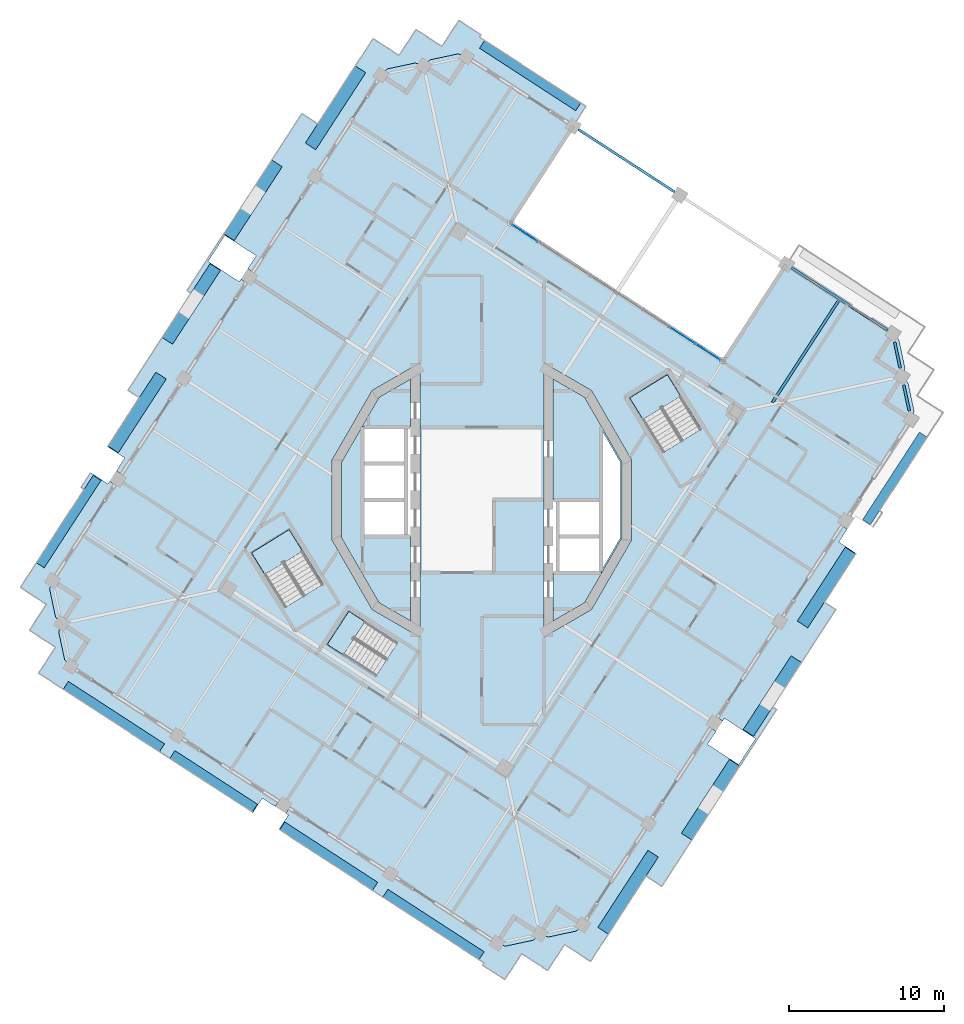
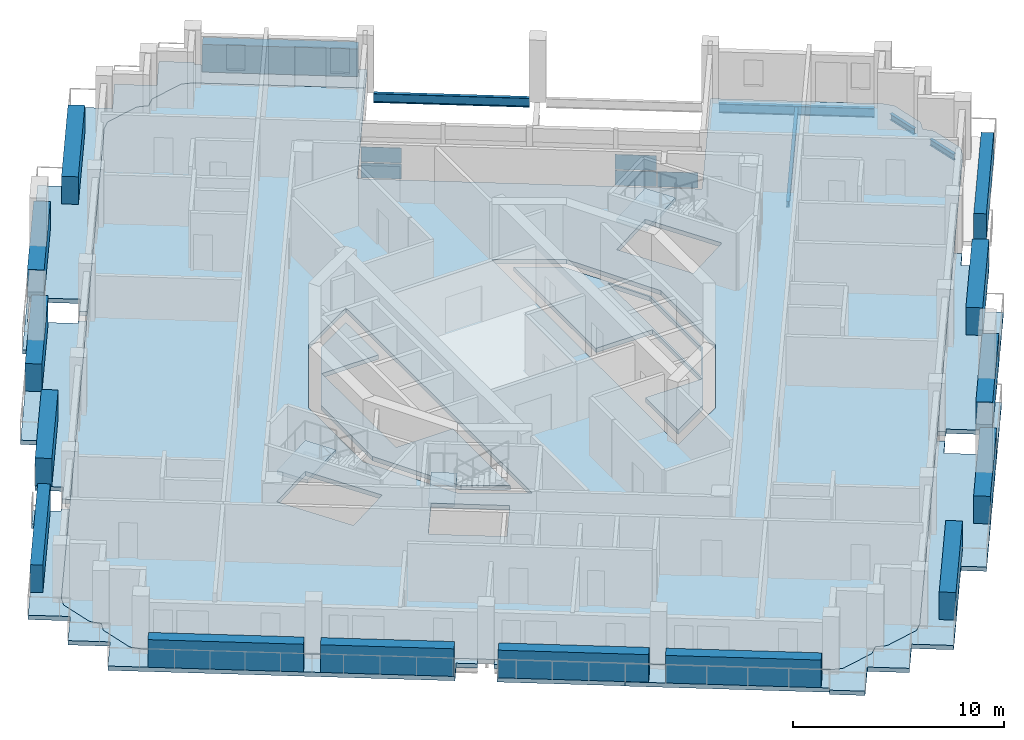
# One storey, part 4 of 17: 20 plates, 9 slabs, 5 beams, 4 elements without a shape of their own.
"""IFC4 building model written with IfcOpenShell, lengths in metres."""

from ifc_helpers import new_model, si_unit, direction, frame, origin, origin_2d, place, context, subcontext, project, spatial, polyline, rectangle, i_section, outline, extrude, material, layer, layer_set, material_profile, profile_set, type_object, element, aggregate, save


model = new_model("IFC4")

# Units and contexts
model_context = context("Model", 3, precision=1e-05, world=origin(), true_north=direction((0.0, 1.0)))
body_context = subcontext(model_context, "Body", "Model", "MODEL_VIEW")
ifc_project = project(units=[si_unit("LENGTHUNIT", "METRE"), si_unit("AREAUNIT", "SQUARE_METRE"), si_unit("VOLUMEUNIT", "CUBIC_METRE"), si_unit("PLANEANGLEUNIT", "RADIAN"), si_unit("MASSUNIT", "GRAM", prefix="KILO")], contexts=[model_context])

# Site, building, storey
site_placement = place(None, origin())
site = spatial("IfcSite", under=ifc_project, at=site_placement, CompositionType="ELEMENT")
building_placement = place(site_placement, origin())
building = spatial("IfcBuilding", under=site, at=building_placement, Name="Cantera Rosa Tower", CompositionType="ELEMENT")
storey_placement = place(building_placement, frame((0.0, 0.0, 279.300048828125)))
storey = spatial("IfcBuildingStorey", under=building, at=storey_placement, Name="L63", CompositionType="ELEMENT", Elevation=279.300048828125)

# Beams
ifc_material_1 = material(Name="Steel ASTM A992 (Fy 345 MPa)", Category="steel")
ifc_material_profile_1 = material_profile(ifc_material_1, i_section(OverallWidth=0.1708984375, OverallDepth=0.35595703125, WebThickness=0.00732421875, FlangeThickness=0.01171875, FilletRadius=0.010009765625, at=origin_2d()), Name="W360X51")
ifc_profile_set_1 = profile_set([ifc_material_profile_1], Name="Steel ASTM A992 (Fy 345 MPa)")
beam_type_1 = type_object("IfcBeamType", Name="STEEL JOIST W360X51", PredefinedType="JOIST", material=ifc_profile_set_1)
beam_placement = place(storey_placement, frame((23.005859375, 12.842041015625, -0.427978515625), z_axis=(-0.544641754757, -0.838668801718, 0.0), x_axis=(0.838668801718, -0.544641754757, 0.0)))
element("IfcBeam", 1, at=beam_placement, inside=storey, type_object=beam_type_1, Name="B-Z5-01 L63", PredefinedType="JOIST", context=body_context, shape_type="SweptSolid", body=[
    extrude(i_section(OverallWidth=0.1708984375, OverallDepth=0.35595703125, WebThickness=0.00732421875, FlangeThickness=0.01171875, FilletRadius=0.010009765625, at=origin_2d()), origin(), (0.0, 0.0, 1.0), 7.800048828125),
])
ifc_material_2 = material(Name="Steel ASTM A992 (Fy 345 MPa)", Category="steel")
ifc_material_profile_2 = material_profile(ifc_material_2, i_section(OverallWidth=0.1708984375, OverallDepth=0.35595703125, WebThickness=0.00732421875, FlangeThickness=0.01171875, FilletRadius=0.010009765625, at=origin_2d()), Name="W360X51")
ifc_profile_set_2 = profile_set([ifc_material_profile_2], Name="Steel ASTM A992 (Fy 345 MPa)")
beam_type_2 = type_object("IfcBeamType", Name="STEEL SPANDREL BEAM W360X51", PredefinedType="SPANDREL", material=ifc_profile_set_2)
for number, where, z_axis, x_axis, name in (
    (2, (27.58447265625, 5.7548828125, -0.427978515625), (-0.207888006632, 0.978152634663, 0.0), (-0.978152634663, -0.207888006632, 0.0), "EB-Z5-25 L63"),
    (3, (26.996337890625, 8.521484375, -0.427978515625), (-0.207888006632, 0.978152634663, 0.0), (-0.978152634663, -0.207888006632, 0.0), "EB-Z5-26 L63"),
):
    element("IfcBeam", number, at=place(storey_placement, frame(where, z_axis=z_axis, x_axis=x_axis)), inside=storey, type_object=beam_type_2, Name=name, PredefinedType="SPANDREL", context=body_context, shape_type="SweptSolid", body=[
        extrude(i_section(OverallWidth=0.1708984375, OverallDepth=0.35595703125, WebThickness=0.00732421875, FlangeThickness=0.01171875, FilletRadius=0.010009765625, at=origin_2d()), origin(), (0.0, 0.0, 1.0), 1.697021484375),
    ])
ifc_material_3 = material(Name="Steel ASTM A992 (Fy 345 MPa)", Category="steel")
ifc_material_profile_3 = material_profile(ifc_material_3, i_section(OverallWidth=0.166015625, OverallDepth=0.528076171875, WebThickness=0.009765625, FlangeThickness=0.013671875, FilletRadius=0.0126953125, at=origin_2d()), Name="W530X74")
ifc_profile_set_3 = profile_set([ifc_material_profile_3], Name="Steel ASTM A992 (Fy 345 MPa)")
beam_type_3 = type_object("IfcBeamType", Name="STEEL SPANDREL BEAM W530X74", PredefinedType="SPANDREL", material=ifc_profile_set_3)
for number, where, z_axis, x_axis, name in (
    (4, (26.1904296875, 10.95263671875, -0.51416015625), (-0.838669679097, 0.544640403719, 0.0), (-0.544640403719, -0.838669679097, 0.0), "EB-Z5-01 L63"),
    (5, (12.436279296875, 19.884765625, -0.51416015625), (-0.838669679097, 0.544640403719, 0.0), (-0.544640403719, -0.838669679097, 0.0), "EB-Z5-03 L63"),
):
    element("IfcBeam", number, at=place(storey_placement, frame(where, z_axis=z_axis, x_axis=x_axis)), inside=storey, type_object=beam_type_3, Name=name, PredefinedType="SPANDREL", context=body_context, shape_type="SweptSolid", body=[
        extrude(i_section(OverallWidth=0.166015625, OverallDepth=0.528076171875, WebThickness=0.009765625, FlangeThickness=0.013671875, FilletRadius=0.0126953125, at=origin_2d()), origin(), (0.0, 0.0, 1.0), 7.39990234375),
    ])

# Slabs
ifc_material_4 = material(Name="Concrete C35/45", Category="concrete")
ifc_layer_1 = layer(ifc_material_4, 0.25)
ifc_layer_set_1 = layer_set([ifc_layer_1], Name="COMPOSITE FLOOR SLAB 250 C35/45")
slab_type_1 = type_object("IfcSlabType", Name="COMPOSITE FLOOR SLAB 250 C35/45", PredefinedType="FLOOR", material=ifc_layer_set_1)
slab_1_placement = place(storey_placement, frame((0.0, 0.0, -0.25)))
element("IfcSlab", 6, at=slab_1_placement, inside=storey, type_object=slab_type_1, Name="SLAB L63 floor 1", PredefinedType="FLOOR", context=body_context, shape_type="SweptSolid", body=[
    extrude(outline(polyline([(-4.60009765625, -2.35009765625), (-4.60009765625, -7.804931640625), (-6.6318359375, -6.6318359375), (-9.059326171875, -2.427490234375), (-9.059326171875, 2.427490234375), (-6.6318359375, 6.6318359375), (-4.60009765625, 7.804931640625), (-4.60009765625, 4.699951171875), (-7.699951171875, 4.699951171875), (-7.699951171875, 2.35009765625), (-7.699951171875, 0.0), (-7.699951171875, -2.35009765625), (-4.60009765625, -2.35009765625)])), origin(), (0.0, 0.0, 1.0), 0.25),
])
slab_2_placement = place(storey_placement, frame((0.0, 0.0, -0.25)))
element("IfcSlab", 7, at=slab_2_placement, inside=storey, type_object=slab_type_1, Name="SLAB L63 floor 2", PredefinedType="FLOOR", context=body_context, shape_type="SweptSolid", body=[
    extrude(outline(polyline([(0.982421875, -28.598876953125), (0.106689453125, -28.030029296875), (-25.650146484375, -11.303466796875), (-26.52587890625, -10.734619140625), (-26.852783203125, -10.396240234375), (-26.873046875, -10.374755859375), (-26.890869140625, -10.351318359375), (-26.90625, -10.326416015625), (-26.919189453125, -10.2998046875), (-26.929443359375, -10.272216796875), (-26.93701171875, -10.243896484375), (-27.289794921875, -8.583740234375), (-27.294677734375, -8.5546875), (-27.29638671875, -8.525390625), (-27.29541015625, -8.49609375), (-27.29150390625, -8.466796875), (-27.28466796875, -8.43798828125), (-27.275146484375, -8.410400390625), (-27.114013671875, -7.968017578125), (-27.44091796875, -7.629638671875), (-27.461181640625, -7.608154296875), (-27.47900390625, -7.584716796875), (-27.494384765625, -7.559814453125), (-27.50732421875, -7.533203125), (-27.517578125, -7.505615234375), (-27.525146484375, -7.477294921875), (-27.8779296875, -5.817138671875), (-27.882568359375, -5.7880859375), (-27.884521484375, -5.7587890625), (-27.88330078125, -5.729248046875), (-27.87939453125, -5.7001953125), (-27.872802734375, -5.67138671875), (-27.863037109375, -5.643798828125), (-27.7021484375, -5.201416015625), (-27.13330078125, -4.32568359375), (-7.08447265625, 26.547119140625), (-6.515625, 27.4228515625), (-6.17724609375, 27.749755859375), (-6.15576171875, 27.769775390625), (-6.132080078125, 27.78759765625), (-6.107177734375, 27.802978515625), (-6.080810546875, 27.81591796875), (-6.05322265625, 27.826416015625), (-6.024658203125, 27.833740234375), (-4.36474609375, 28.186767578125), (-4.335693359375, 28.19140625), (-4.306396484375, 28.193115234375), (-4.27685546875, 28.192138671875), (-4.247802734375, 28.188232421875), (-4.218994140625, 28.181396484375), (-4.191162109375, 28.171875), (-3.7490234375, 28.0107421875), (-3.41064453125, 28.337890625), (-3.388916015625, 28.35791015625), (-3.365478515625, 28.375732421875), (-3.340576171875, 28.39111328125), (-3.314208984375, 28.404052734375), (-3.28662109375, 28.414306640625), (-3.258056640625, 28.421875), (-1.59814453125, 28.774658203125), (-1.569091796875, 28.779296875), (-1.539794921875, 28.78125), (-1.51025390625, 28.7802734375), (-1.481201171875, 28.7763671875), (-1.452392578125, 28.76953125), (-1.424560546875, 28.760009765625), (-0.982421875, 28.598876953125), (-0.106689453125, 28.030029296875), (5.894775390625, 24.1328125), (1.809814453125, 17.8427734375), (15.564208984375, 8.910888671875), (19.64892578125, 15.20068359375), (25.650146484375, 11.303466796875), (26.52587890625, 10.734619140625), (26.852783203125, 10.396240234375), (26.873046875, 10.374755859375), (26.890869140625, 10.351318359375), (26.90625, 10.326416015625), (26.919189453125, 10.2998046875), (26.929443359375, 10.272216796875), (26.93701171875, 10.243896484375), (27.289794921875, 8.583740234375), (27.294677734375, 8.5546875), (27.29638671875, 8.525390625), (27.29541015625, 8.49609375), (27.29150390625, 8.466796875), (27.28466796875, 8.43798828125), (27.275146484375, 8.410400390625), (27.114013671875, 7.968017578125), (27.44091796875, 7.629638671875), (27.461181640625, 7.608154296875), (27.47900390625, 7.584716796875), (27.494384765625, 7.559814453125), (27.50732421875, 7.533203125), (27.517578125, 7.505615234375), (27.525146484375, 7.477294921875), (27.8779296875, 5.817138671875), (27.882568359375, 5.7880859375), (27.884521484375, 5.7587890625), (27.88330078125, 5.729248046875), (27.87939453125, 5.7001953125), (27.872802734375, 5.67138671875), (27.863037109375, 5.643798828125), (27.7021484375, 5.201416015625), (27.13330078125, 4.32568359375), (7.08447265625, -26.547119140625), (6.515625, -27.4228515625), (6.17724609375, -27.749755859375), (6.15576171875, -27.769775390625), (6.132080078125, -27.78759765625), (6.107177734375, -27.802978515625), (6.080810546875, -27.81591796875), (6.05322265625, -27.826416015625), (6.024658203125, -27.833740234375), (4.36474609375, -28.186767578125), (4.335693359375, -28.19140625), (4.306396484375, -28.193115234375), (4.27685546875, -28.192138671875), (4.247802734375, -28.188232421875), (4.218994140625, -28.181396484375), (4.191162109375, -28.171875), (3.7490234375, -28.0107421875), (3.41064453125, -28.337890625), (3.388916015625, -28.35791015625), (3.365478515625, -28.375732421875), (3.340576171875, -28.39111328125), (3.314208984375, -28.404052734375), (3.28662109375, -28.414306640625), (3.258056640625, -28.421875), (1.59814453125, -28.774658203125), (1.569091796875, -28.779296875), (1.539794921875, -28.78125), (1.51025390625, -28.7802734375), (1.481201171875, -28.7763671875), (1.452392578125, -28.76953125), (1.424560546875, -28.760009765625), (0.982421875, -28.598876953125)]), holes=[polyline([(-8.581298828125, -7.1826171875), (-9.97021484375, -9.3212890625), (-6.835205078125, -11.357177734375), (-5.4462890625, -9.218505859375), (-8.581298828125, -7.1826171875)]), polyline([(-10.258544921875, -5.433349609375), (-12.430908203125, -1.911376953125), (-14.8564453125, -3.407470703125), (-12.68408203125, -6.929443359375), (-10.258544921875, -5.433349609375)]), polyline([(-9.6591796875, 2.588134765625), (-9.6591796875, -2.588134765625), (-7.071044921875, -7.071044921875), (-4.0, -8.843994140625), (-4.0, 8.843994140625), (-7.071044921875, 7.071044921875), (-9.6591796875, 2.588134765625)]), polyline([(7.071044921875, -7.071044921875), (9.6591796875, -2.588134765625), (9.6591796875, 2.588134765625), (7.071044921875, 7.071044921875), (4.0, 8.843994140625), (4.0, -8.843994140625), (7.071044921875, -7.071044921875)]), polyline([(14.1416015625, 4.566650390625), (11.96923828125, 8.088623046875), (9.54345703125, 6.592529296875), (11.7158203125, 3.070556640625), (14.1416015625, 4.566650390625)])]), origin(), (0.0, 0.0, 1.0), 0.25),
])
slab_3_placement = place(storey_placement, frame((0.0, 0.0, -0.25)))
element("IfcSlab", 8, at=slab_3_placement, inside=storey, type_object=slab_type_1, Name="SLAB L63 floor 3", PredefinedType="FLOOR", context=body_context, shape_type="SweptSolid", body=[
    extrude(outline(polyline([(7.699951171875, -2.35009765625), (7.699951171875, 0.0), (4.60009765625, 0.0), (4.60009765625, 7.804931640625), (6.6318359375, 6.6318359375), (9.059326171875, 2.427490234375), (9.059326171875, -2.427490234375), (6.6318359375, -6.6318359375), (4.60009765625, -7.804931640625), (4.60009765625, -4.699951171875), (7.699951171875, -4.699951171875), (7.699951171875, -2.35009765625)]), holes=[polyline([(7.800048828125, 2.449951171875), (7.800048828125, 2.25), (7.800048828125, -2.25), (7.800048828125, -2.449951171875), (7.800048828125, -4.408447265625), (8.959228515625, -2.400634765625), (8.959228515625, 2.400634765625), (7.800048828125, 4.408447265625), (7.800048828125, 2.449951171875)])]), origin(), (0.0, 0.0, 1.0), 0.25),
])

# Curtain wall, plates
ifc_material_5 = material(Name="Aluminium frame with clear glass", Category="aluminium")
curtain_wall_type = type_object("IfcCurtainWallType", Name="CW1 TERRACE POCKET GLAZING", PredefinedType="NOTDEFINED", material=ifc_material_5)
curtain_wall_placement = place(storey_placement, origin())
curtain_wall = element("IfcCurtainWall", 9, at=curtain_wall_placement, inside=storey, type_object=curtain_wall_type, Name="CW1 CW1", PredefinedType="NOTDEFINED")
ifc_material_6 = material(Name="Aluminium frame with clear glass", Category="aluminium")
ifc_layer_2 = layer(ifc_material_6, 0.028076171875)
ifc_layer_set_2 = layer_set([ifc_layer_2], Name="CW-PANEL POCKET")
plate_type_1 = type_object("IfcPlateType", Name="CW-PANEL POCKET", PredefinedType="CURTAIN_PANEL", material=ifc_layer_set_2)
plate_1_placement = place(storey_placement, frame((14.60009765625, 9.536865234375, 0.06005859375), z_axis=(0.0, 0.0, 1.0), x_axis=(-0.838670567974, 0.544639034971, 0.0)))
plate_1 = element("IfcPlate", 10, at=plate_1_placement, type_object=plate_type_1, Name="CW1 panel 1.1", PredefinedType="CURTAIN_PANEL", context=body_context, shape_type="SweptSolid", body=[
    extrude(rectangle(XDim=1.9287109375, YDim=0.028076171875, at=origin_2d()), origin(), (0.0, 0.0, 1.0), 0.865966796875),
])
plate_2_placement = place(storey_placement, frame((12.919677734375, 10.628173828125, 0.06005859375), z_axis=(0.0, 0.0, 1.0), x_axis=(-0.838670567974, 0.544639034971, 0.0)))
plate_2 = element("IfcPlate", 11, at=plate_2_placement, type_object=plate_type_1, Name="CW1 panel 2.1", PredefinedType="CURTAIN_PANEL", context=body_context, shape_type="SweptSolid", body=[
    extrude(rectangle(XDim=1.958740234375, YDim=0.028076171875, at=origin_2d()), origin(), (0.0, 0.0, 1.0), 0.865966796875),
])
plate_3_placement = place(storey_placement, frame((12.919677734375, 10.628173828125, 0.98583984375), z_axis=(0.0, 0.0, 1.0), x_axis=(-0.838670567974, 0.544639034971, 0.0)))
plate_3 = element("IfcPlate", 12, at=plate_3_placement, type_object=plate_type_1, Name="CW1 panel 2.2", PredefinedType="CURTAIN_PANEL", context=body_context, shape_type="SweptSolid", body=[
    extrude(rectangle(XDim=1.958740234375, YDim=0.028076171875, at=origin_2d()), origin(), (0.0, 0.0, 1.0), 0.865966796875),
])
plate_4_placement = place(storey_placement, frame((2.77392578125, 17.216796875, 0.06005859375), z_axis=(0.0, 0.0, 1.0), x_axis=(-0.838670567974, 0.544639034971, 0.0)))
plate_4 = element("IfcPlate", 13, at=plate_4_placement, type_object=plate_type_1, Name="CW1 panel 8.1", PredefinedType="CURTAIN_PANEL", context=body_context, shape_type="SweptSolid", body=[
    extrude(rectangle(XDim=1.9287109375, YDim=0.028076171875, at=origin_2d()), origin(), (0.0, 0.0, 1.0), 0.865966796875),
])
plate_5_placement = place(storey_placement, frame((2.77392578125, 17.216796875, 0.98583984375), z_axis=(0.0, 0.0, 1.0), x_axis=(-0.838670567974, 0.544639034971, 0.0)))
plate_5 = element("IfcPlate", 14, at=plate_5_placement, type_object=plate_type_1, Name="CW1 panel 8.2", PredefinedType="CURTAIN_PANEL", context=body_context, shape_type="SweptSolid", body=[
    extrude(rectangle(XDim=1.9287109375, YDim=0.028076171875, at=origin_2d()), origin(), (0.0, 0.0, 1.0), 0.865966796875),
])
aggregate(curtain_wall, [plate_1, plate_2, plate_3, plate_4, plate_5])

# Slabs
ifc_material_7 = material(Name="Concrete C35/45", Category="concrete")
ifc_layer_3 = layer(ifc_material_7, 0.25)
ifc_layer_set_3 = layer_set([ifc_layer_3], Name="LOGGIA SLAB 250 C35/45")
slab_type_2 = type_object("IfcSlabType", Name="LOGGIA SLAB 250 C35/45", PredefinedType="FLOOR", material=ifc_layer_set_3)
slab_4_placement = place(storey_placement, frame((0.0, 0.0, -0.25)))
element("IfcSlab", 15, at=slab_4_placement, inside=storey, type_object=slab_type_2, Name="LOGGIA SLAB L63 1", PredefinedType="FLOOR", context=body_context, shape_type="SweptSolid", body=[
    extrude(outline(polyline([(-21.723876953125, -15.641845703125), (-27.343017578125, -11.992919921875), (-28.600830078125, -11.17578125), (-27.783935546875, -9.917724609375), (-27.51171875, -9.49853515625), (-27.930908203125, -9.22607421875), (-29.18896484375, -8.4091796875), (-28.3720703125, -7.151123046875), (-28.099609375, -6.731689453125), (-28.51904296875, -6.45947265625), (-29.777099609375, -5.642578125), (-28.960205078125, -4.384521484375), (-25.66650390625, 0.68701171875), (-25.86181640625, 0.813720703125), (-25.244873046875, 1.763916015625), (-24.127197265625, 1.0380859375), (-24.01806640625, 1.205810546875), (-23.6826171875, 0.98779296875), (-27.13330078125, -4.32568359375), (-27.7021484375, -5.201416015625), (-27.863037109375, -5.643798828125), (-27.872802734375, -5.67138671875), (-27.87939453125, -5.7001953125), (-27.88330078125, -5.729248046875), (-27.884521484375, -5.7587890625), (-27.882568359375, -5.7880859375), (-27.8779296875, -5.817138671875), (-27.525146484375, -7.477294921875), (-27.517578125, -7.505615234375), (-27.50732421875, -7.533203125), (-27.494384765625, -7.559814453125), (-27.47900390625, -7.584716796875), (-27.461181640625, -7.608154296875), (-27.44091796875, -7.629638671875), (-27.114013671875, -7.968017578125), (-27.275146484375, -8.410400390625), (-27.28466796875, -8.43798828125), (-27.29150390625, -8.466796875), (-27.29541015625, -8.49609375), (-27.29638671875, -8.525390625), (-27.294677734375, -8.5546875), (-27.289794921875, -8.583740234375), (-26.93701171875, -10.243896484375), (-26.929443359375, -10.272216796875), (-26.919189453125, -10.2998046875), (-26.90625, -10.326416015625), (-26.890869140625, -10.351318359375), (-26.873046875, -10.374755859375), (-26.852783203125, -10.396240234375), (-26.52587890625, -10.734619140625), (-25.650146484375, -11.303466796875), (-13.107421875, -19.448974609375), (-13.3251953125, -19.784423828125), (-14.163818359375, -19.23974609375), (-14.762939453125, -20.162353515625), (-14.8466796875, -20.10791015625), (-19.207763671875, -17.275634765625), (-21.723876953125, -15.641845703125)])), origin(), (0.0, 0.0, 1.0), 0.25),
])
slab_5_placement = place(storey_placement, frame((0.0, 0.0, -0.25)))
element("IfcSlab", 16, at=slab_5_placement, inside=storey, type_object=slab_type_2, Name="LOGGIA SLAB L63 2", PredefinedType="FLOOR", context=body_context, shape_type="SweptSolid", body=[
    extrude(outline(polyline([(-18.7705078125, 13.3505859375), (-19.0244140625, 13.515625), (-11.6103515625, 24.931884765625), (-10.59033203125, 24.26953125), (-7.94140625, 28.3486328125), (-7.015380859375, 29.7744140625), (-5.58984375, 28.848388671875), (-5.338134765625, 28.68505859375), (-5.1748046875, 28.936767578125), (-4.248779296875, 30.362548828125), (-2.822998046875, 29.4365234375), (-2.571533203125, 29.273193359375), (-1.482421875, 30.950439453125), (-0.056396484375, 30.024658203125), (-0.155029296875, 29.873046875), (6.72216796875, 25.406982421875), (5.894775390625, 24.1328125), (-0.106689453125, 28.030029296875), (-0.982421875, 28.598876953125), (-1.424560546875, 28.760009765625), (-1.452392578125, 28.76953125), (-1.481201171875, 28.7763671875), (-1.51025390625, 28.7802734375), (-1.539794921875, 28.78125), (-1.569091796875, 28.779296875), (-1.59814453125, 28.774658203125), (-3.258056640625, 28.421875), (-3.28662109375, 28.414306640625), (-3.314208984375, 28.404052734375), (-3.340576171875, 28.39111328125), (-3.365478515625, 28.375732421875), (-3.388916015625, 28.35791015625), (-3.41064453125, 28.337890625), (-3.7490234375, 28.0107421875), (-4.191162109375, 28.171875), (-4.218994140625, 28.181396484375), (-4.247802734375, 28.188232421875), (-4.27685546875, 28.192138671875), (-4.306396484375, 28.193115234375), (-4.335693359375, 28.19140625), (-4.36474609375, 28.186767578125), (-6.024658203125, 27.833740234375), (-6.05322265625, 27.826416015625), (-6.080810546875, 27.81591796875), (-6.107177734375, 27.802978515625), (-6.132080078125, 27.78759765625), (-6.15576171875, 27.769775390625), (-6.17724609375, 27.749755859375), (-6.515625, 27.4228515625), (-7.08447265625, 26.547119140625), (-14.7724609375, 14.70849609375), (-15.10791015625, 14.926513671875), (-14.563232421875, 15.76513671875), (-16.575927734375, 17.072265625), (-17.665283203125, 15.39501953125), (-15.652587890625, 14.087646484375), (-15.543701171875, 14.255615234375), (-15.2080078125, 14.03759765625), (-23.2470703125, 1.65869140625), (-23.58251953125, 1.876708984375), (-23.037841796875, 2.71533203125), (-24.155517578125, 3.44140625), (-22.104248046875, 6.60009765625), (-22.8427734375, 7.079833984375), (-18.7705078125, 13.3505859375)])), origin(), (0.0, 0.0, 1.0), 0.25),
])
slab_6_placement = place(storey_placement, frame((0.0, 0.0, -0.25)))
element("IfcSlab", 17, at=slab_6_placement, inside=storey, type_object=slab_type_2, Name="LOGGIA SLAB L63 3", PredefinedType="FLOOR", context=body_context, shape_type="SweptSolid", body=[
    extrude(outline(polyline([(7.94140625, -28.3486328125), (7.015380859375, -29.7744140625), (5.58984375, -28.848388671875), (5.338134765625, -28.68505859375), (5.1748046875, -28.936767578125), (4.248779296875, -30.362548828125), (2.822998046875, -29.4365234375), (2.571533203125, -29.273193359375), (1.482421875, -30.950439453125), (0.056396484375, -30.024658203125), (0.155029296875, -29.873046875), (-7.996337890625, -24.57958984375), (-7.98583984375, -24.5634765625), (-12.330810546875, -21.74169921875), (-13.08544921875, -21.251708984375), (-12.486328125, -20.3291015625), (-12.654296875, -20.22021484375), (-12.436279296875, -19.884765625), (0.106689453125, -28.030029296875), (0.982421875, -28.598876953125), (1.424560546875, -28.760009765625), (1.452392578125, -28.76953125), (1.481201171875, -28.7763671875), (1.51025390625, -28.7802734375), (1.539794921875, -28.78125), (1.569091796875, -28.779296875), (1.59814453125, -28.774658203125), (3.258056640625, -28.421875), (3.28662109375, -28.414306640625), (3.314208984375, -28.404052734375), (3.340576171875, -28.39111328125), (3.365478515625, -28.375732421875), (3.388916015625, -28.35791015625), (3.41064453125, -28.337890625), (3.7490234375, -28.0107421875), (4.191162109375, -28.171875), (4.218994140625, -28.181396484375), (4.247802734375, -28.188232421875), (4.27685546875, -28.192138671875), (4.306396484375, -28.193115234375), (4.335693359375, -28.19140625), (4.36474609375, -28.186767578125), (6.024658203125, -27.833740234375), (6.05322265625, -27.826416015625), (6.080810546875, -27.81591796875), (6.107177734375, -27.802978515625), (6.132080078125, -27.78759765625), (6.15576171875, -27.769775390625), (6.17724609375, -27.749755859375), (6.515625, -27.4228515625), (7.08447265625, -26.547119140625), (14.7724609375, -14.70849609375), (15.10791015625, -14.926513671875), (14.563232421875, -15.76513671875), (16.575927734375, -17.072265625), (17.665283203125, -15.39501953125), (15.652587890625, -14.087646484375), (15.543701171875, -14.255615234375), (15.2080078125, -14.03759765625), (23.2470703125, -1.65869140625), (23.58251953125, -1.876708984375), (23.037841796875, -2.71533203125), (24.155517578125, -3.44140625), (22.104248046875, -6.60009765625), (22.8427734375, -7.079833984375), (18.7705078125, -13.3505859375), (19.0244140625, -13.515625), (11.6103515625, -24.931884765625), (10.59033203125, -24.26953125), (7.94140625, -28.3486328125)])), origin(), (0.0, 0.0, 1.0), 0.25),
])

# Plates
ifc_material_8 = material(Name="Cantera stone planter with soil", Category="masonry")
plate_type_2 = type_object("IfcPlateType", Name="PLANTER 600", PredefinedType="USERDEFINED", material=ifc_material_8)
plate_6_placement = place(storey_placement, frame((3.1201171875, 27.388427734375, 0.0), z_axis=(0.0, 0.0, 1.0), x_axis=(-0.838670567945, 0.544639035015, 0.0)))
element("IfcPlate", 18, at=plate_6_placement, inside=storey, type_object=plate_type_2, Name="PLANTER L63-04", ObjectType="PLANTER", PredefinedType="USERDEFINED", context=body_context, shape_type="SweptSolid", body=[
    extrude(rectangle(XDim=7.39990234375, YDim=0.60009765625, at=origin_2d()), origin(), (0.0, 0.0, 1.0), 1.60009765625),
])
plate_7_placement = place(storey_placement, frame((-26.657958984375, -1.390380859375, 0.0), z_axis=(0.0, 0.0, 1.0), x_axis=(-0.544639035015, -0.838670567945, 0.0)))
element("IfcPlate", 19, at=plate_7_placement, inside=storey, type_object=plate_type_2, Name="PLANTER L63-09", ObjectType="PLANTER", PredefinedType="USERDEFINED", context=body_context, shape_type="SweptSolid", body=[
    extrude(rectangle(XDim=6.72998046875, YDim=0.60009765625, at=origin_2d()), origin(), (0.0, 0.0, 1.0), 1.60009765625),
])
plate_8_placement = place(storey_placement, frame((-23.740966796875, -13.97412109375, 0.0), z_axis=(0.0, 0.0, 1.0), x_axis=(0.838670567945, -0.544639035015, 0.0)))
element("IfcPlate", 20, at=plate_8_placement, inside=storey, type_object=plate_type_2, Name="PLANTER L63-10", ObjectType="PLANTER", PredefinedType="USERDEFINED", context=body_context, shape_type="SweptSolid", body=[
    extrude(rectangle(XDim=7.39990234375, YDim=0.60009765625, at=origin_2d()), origin(), (0.0, 0.0, 1.0), 1.60009765625),
])
plate_9_placement = place(storey_placement, frame((-17.30419921875, -18.154296875, 0.0), z_axis=(0.0, 0.0, 1.0), x_axis=(0.838670567945, -0.544639035015, 0.0)))
element("IfcPlate", 21, at=plate_9_placement, inside=storey, type_object=plate_type_2, Name="PLANTER L63-11", ObjectType="PLANTER", PredefinedType="USERDEFINED", context=body_context, shape_type="SweptSolid", body=[
    extrude(rectangle(XDim=6.35009765625, YDim=0.60009765625, at=origin_2d()), origin(), (0.0, 0.0, 1.0), 1.60009765625),
])
plate_10_placement = place(storey_placement, frame((-9.882080078125, -22.974365234375, 0.0), z_axis=(0.0, 0.0, 1.0), x_axis=(0.838670567945, -0.544639035015, 0.0)))
element("IfcPlate", 22, at=plate_10_placement, inside=storey, type_object=plate_type_2, Name="PLANTER L63-12", ObjectType="PLANTER", PredefinedType="USERDEFINED", context=body_context, shape_type="SweptSolid", body=[
    extrude(rectangle(XDim=7.14990234375, YDim=0.60009765625, at=origin_2d()), origin(), (0.0, 0.0, 1.0), 1.60009765625),
])
plate_11_placement = place(storey_placement, frame((-3.1201171875, -27.388427734375, 0.0), z_axis=(0.0, 0.0, 1.0), x_axis=(0.838670567945, -0.544639035015, 0.0)))
element("IfcPlate", 23, at=plate_11_placement, inside=storey, type_object=plate_type_2, Name="PLANTER L63-13", ObjectType="PLANTER", PredefinedType="USERDEFINED", context=body_context, shape_type="SweptSolid", body=[
    extrude(rectangle(XDim=7.39990234375, YDim=0.60009765625, at=origin_2d()), origin(), (0.0, 0.0, 1.0), 1.60009765625),
])
plate_12_placement = place(storey_placement, frame((26.657958984375, 1.390380859375, 0.0), z_axis=(0.0, 0.0, 1.0), x_axis=(0.544639035015, 0.838670567945, 0.0)))
element("IfcPlate", 24, at=plate_12_placement, inside=storey, type_object=plate_type_2, Name="PLANTER L63-18", ObjectType="PLANTER", PredefinedType="USERDEFINED", context=body_context, shape_type="SweptSolid", body=[
    extrude(rectangle(XDim=6.72998046875, YDim=0.60009765625, at=origin_2d()), origin(), (0.0, 0.0, 1.0), 1.60009765625),
])
ifc_material_9 = material(Name="Cantera stone planter with soil", Category="masonry")
plate_type_3 = type_object("IfcPlateType", Name="PLANTER 800", PredefinedType="USERDEFINED", material=ifc_material_9)
plate_13_placement = place(storey_placement, frame((-9.438720703125, 25.30859375, 0.0), z_axis=(0.0, 0.0, 1.0), x_axis=(-0.544639035015, -0.838670567945, 0.0)))
element("IfcPlate", 25, at=plate_13_placement, inside=storey, type_object=plate_type_3, Name="PLANTER L63-05", ObjectType="PLANTER", PredefinedType="USERDEFINED", context=body_context, shape_type="SweptSolid", body=[
    extrude(rectangle(XDim=5.929931640625, YDim=0.800048828125, at=origin_2d()), origin(), (0.0, 0.0, 1.0), 1.60009765625),
])
for number, where, z_axis, x_axis, name in (
    (26, (-14.763916015625, 19.34130859375, 0.0), (0.0, 0.0, 1.0), (-0.544639035015, -0.838670567945, 0.0), "PLANTER L63-06"),
    (27, (-18.747314453125, 12.651611328125, 0.0), (0.0, 0.0, 1.0), (-0.544639035015, -0.838670567945, 0.0), "PLANTER L63-07"),
    (28, (-22.24609375, 5.647216796875, 0.0), (0.0, 0.0, 1.0), (-0.544639035015, -0.838670567945, 0.0), "PLANTER L63-08"),
):
    element("IfcPlate", number, at=place(storey_placement, frame(where, z_axis=z_axis, x_axis=x_axis)), inside=storey, type_object=plate_type_3, Name=name, ObjectType="PLANTER", PredefinedType="USERDEFINED", context=body_context, shape_type="SweptSolid", body=[
        extrude(rectangle(XDim=5.679931640625, YDim=0.800048828125, at=origin_2d()), origin(), (0.0, 0.0, 1.0), 1.60009765625),
    ])
plate_14_placement = place(storey_placement, frame((9.438720703125, -25.30859375, 0.0), z_axis=(0.0, 0.0, 1.0), x_axis=(0.544639035015, 0.838670567945, 0.0)))
element("IfcPlate", 29, at=plate_14_placement, inside=storey, type_object=plate_type_3, Name="PLANTER L63-14", ObjectType="PLANTER", PredefinedType="USERDEFINED", context=body_context, shape_type="SweptSolid", body=[
    extrude(rectangle(XDim=5.929931640625, YDim=0.800048828125, at=origin_2d()), origin(), (0.0, 0.0, 1.0), 1.60009765625),
])
for number, where, z_axis, x_axis, name in (
    (30, (14.763916015625, -19.34130859375, 0.0), (0.0, 0.0, 1.0), (0.544639035015, 0.838670567945, 0.0), "PLANTER L63-15"),
    (31, (18.747314453125, -12.651611328125, 0.0), (0.0, 0.0, 1.0), (0.544639035015, 0.838670567945, 0.0), "PLANTER L63-16"),
    (32, (22.24609375, -5.647216796875, 0.0), (0.0, 0.0, 1.0), (0.544639035015, 0.838670567945, 0.0), "PLANTER L63-17"),
):
    element("IfcPlate", number, at=place(storey_placement, frame(where, z_axis=z_axis, x_axis=x_axis)), inside=storey, type_object=plate_type_3, Name=name, ObjectType="PLANTER", PredefinedType="USERDEFINED", context=body_context, shape_type="SweptSolid", body=[
        extrude(rectangle(XDim=5.679931640625, YDim=0.800048828125, at=origin_2d()), origin(), (0.0, 0.0, 1.0), 1.60009765625),
    ])

# Stair, slab
ifc_material_10 = material(Name="Concrete C35/45", Category="concrete")
stair_type_1 = type_object("IfcStairType", Name="EXIT STAIR 1350 DOGLEG", PredefinedType="HALF_TURN_STAIR", material=ifc_material_10)
stair_1_placement = place(storey_placement, origin())
stair_1 = element("IfcStair", 33, at=stair_1_placement, inside=storey, type_object=stair_type_1, Name="L63 ST-51", PredefinedType="HALF_TURN_STAIR")
ifc_material_11 = material(Name="Concrete C35/45", Category="concrete")
ifc_layer_4 = layer(ifc_material_11, 0.199951171875)
ifc_layer_set_4 = layer_set([ifc_layer_4], Name="STAIR LANDING 200")
slab_type_3 = type_object("IfcSlabType", Name="STAIR LANDING 200", PredefinedType="LANDING", material=ifc_layer_set_4)
slab_7_placement = place(storey_placement, frame((0.0, 0.0, 1.599853515625)))
slab_7 = element("IfcSlab", 34, at=slab_7_placement, type_object=slab_type_3, Name="ST-51 landing 1", PredefinedType="LANDING", context=body_context, shape_type="SweptSolid", body=[
    extrude(outline(polyline([(12.8310546875, 6.691162109375), (11.96923828125, 8.088623046875), (9.54345703125, 6.592529296875), (10.405517578125, 5.19482421875), (12.8310546875, 6.691162109375)])), origin(), (0.0, 0.0, 1.0), 0.2001953125),
])
aggregate(stair_1, [slab_7])

stair_2_placement = place(storey_placement, origin())
stair_2 = element("IfcStair", 35, at=stair_2_placement, inside=storey, type_object=stair_type_1, Name="L63 ST-52", PredefinedType="HALF_TURN_STAIR")
slab_8_placement = place(storey_placement, frame((0.0, 0.0, 1.599853515625)))
slab_8 = element("IfcSlab", 36, at=slab_8_placement, type_object=slab_type_3, Name="ST-52 landing 1", PredefinedType="LANDING", context=body_context, shape_type="SweptSolid", body=[
    extrude(outline(polyline([(-11.56884765625, -3.308837890625), (-12.430908203125, -1.911376953125), (-14.8564453125, -3.407470703125), (-13.99462890625, -4.80517578125), (-11.56884765625, -3.308837890625)])), origin(), (0.0, 0.0, 1.0), 0.2001953125),
])
aggregate(stair_2, [slab_8])

ifc_material_12 = material(Name="Concrete C35/45", Category="concrete")
stair_type_2 = type_object("IfcStairType", Name="EXIT STAIR 1200 DOGLEG", PredefinedType="HALF_TURN_STAIR", material=ifc_material_12)
stair_3_placement = place(storey_placement, origin())
stair_3 = element("IfcStair", 37, at=stair_3_placement, inside=storey, type_object=stair_type_2, Name="L63 ST-53", PredefinedType="HALF_TURN_STAIR")
slab_9_placement = place(storey_placement, frame((0.0, 0.0, 1.599853515625)))
slab_9 = element("IfcSlab", 38, at=slab_9_placement, type_object=slab_type_3, Name="ST-53 landing 1", PredefinedType="LANDING", context=body_context, shape_type="SweptSolid", body=[
    extrude(outline(polyline([(-7.53955078125, -7.859130859375), (-8.581298828125, -7.1826171875), (-9.97021484375, -9.3212890625), (-8.928466796875, -9.997802734375), (-7.53955078125, -7.859130859375)])), origin(), (0.0, 0.0, 1.0), 0.2001953125),
])
aggregate(stair_3, [slab_9])

save(model, "model.ifc")
